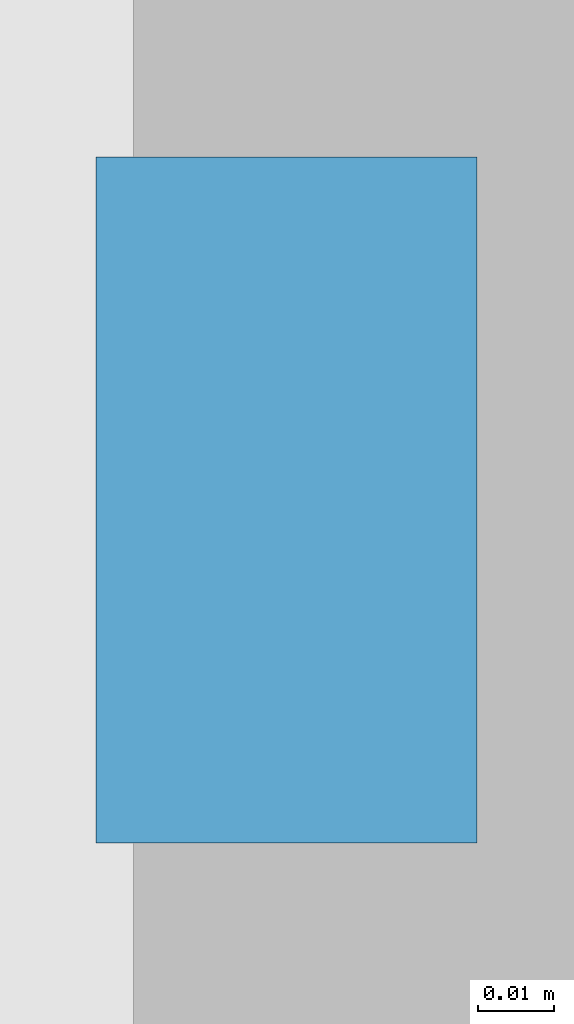
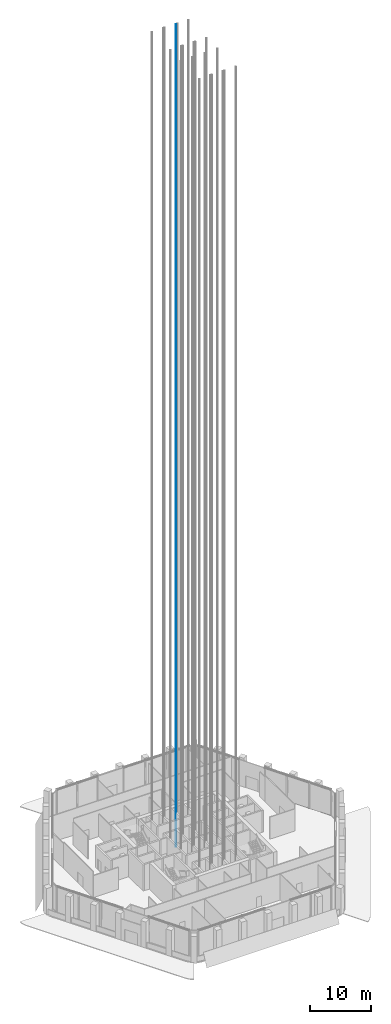
# One storey, part 37 of 42: 1 discrete accessory.
"""IFC4 building model written with IfcOpenShell, lengths in metres."""

from ifc_helpers import new_model, si_unit, direction, frame, origin, origin_2d, place, context, subcontext, project, spatial, rectangle, extrude, element, save


model = new_model("IFC4")

# Units and contexts
model_context = context("Model", 3, precision=1e-05, world=origin(), true_north=direction((0.0, 1.0)))
body_context = subcontext(model_context, "Body", "Model", "MODEL_VIEW")
ifc_project = project(units=[si_unit("LENGTHUNIT", "METRE"), si_unit("AREAUNIT", "SQUARE_METRE"), si_unit("VOLUMEUNIT", "CUBIC_METRE"), si_unit("PLANEANGLEUNIT", "RADIAN"), si_unit("MASSUNIT", "GRAM", prefix="KILO")], contexts=[model_context])

# Site, building, storey
site_placement = place(None, origin())
site = spatial("IfcSite", under=ifc_project, at=site_placement, CompositionType="ELEMENT")
building_placement = place(site_placement, origin())
building = spatial("IfcBuilding", under=site, at=building_placement, Name="Kolab Exchange Tower", CompositionType="ELEMENT")
storey_placement = place(building_placement, frame((0.0, 0.0, 133.39990234375)))
storey = spatial("IfcBuildingStorey", under=building, at=storey_placement, Name="L26", CompositionType="ELEMENT", Elevation=133.39990234375)

# Discrete accessory
discrete_accessory_placement = place(storey_placement, frame((1.070068359375, 7.800048828125, -1.599853515625), z_axis=(0.0, 0.0, 1.0), x_axis=(1.0, 0.0, 0.0)))
element("IfcDiscreteAccessory", 1, at=discrete_accessory_placement, inside=storey, Name="Guide rail HR2-2", ObjectType="GUIDE RAIL", PredefinedType="USERDEFINED", context=body_context, shape_type="SweptSolid", body=[
    extrude(rectangle(XDim=0.050048828125, YDim=0.090087890625, at=origin_2d()), origin(), (0.0, 0.0, 1.0), 165.60009765625),
])

save(model, "model.ifc")
